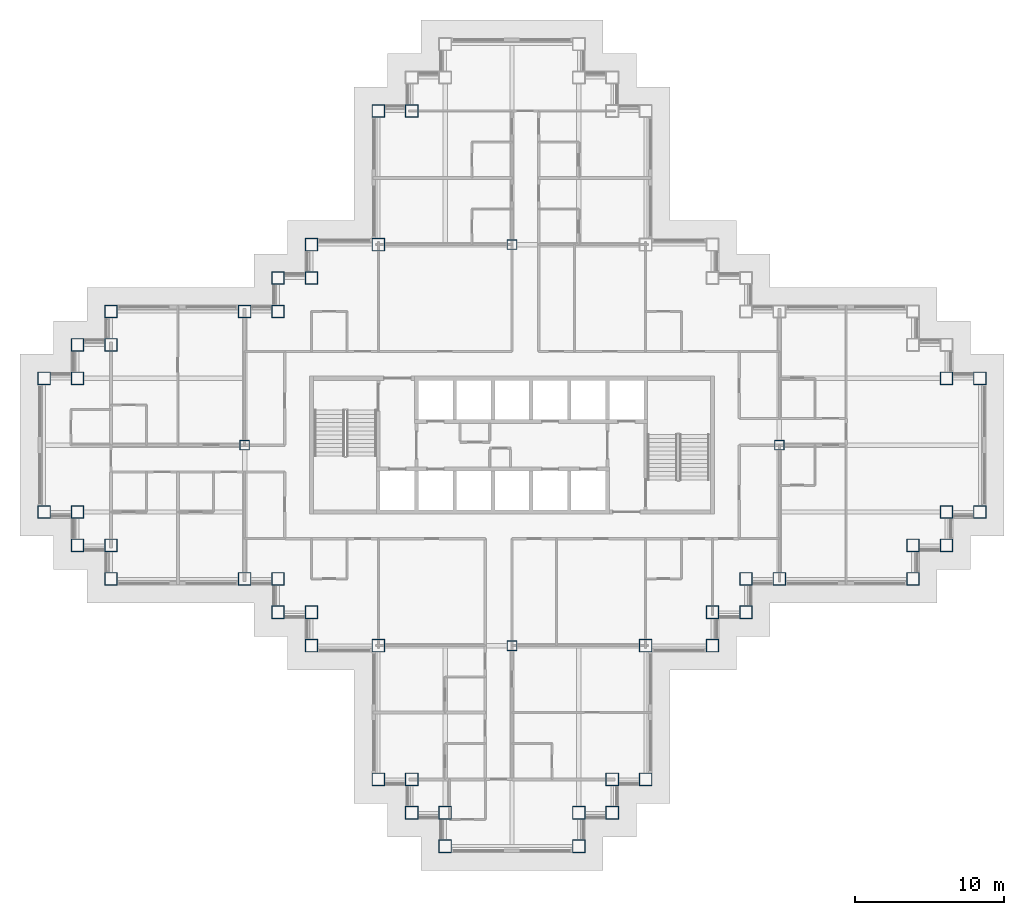
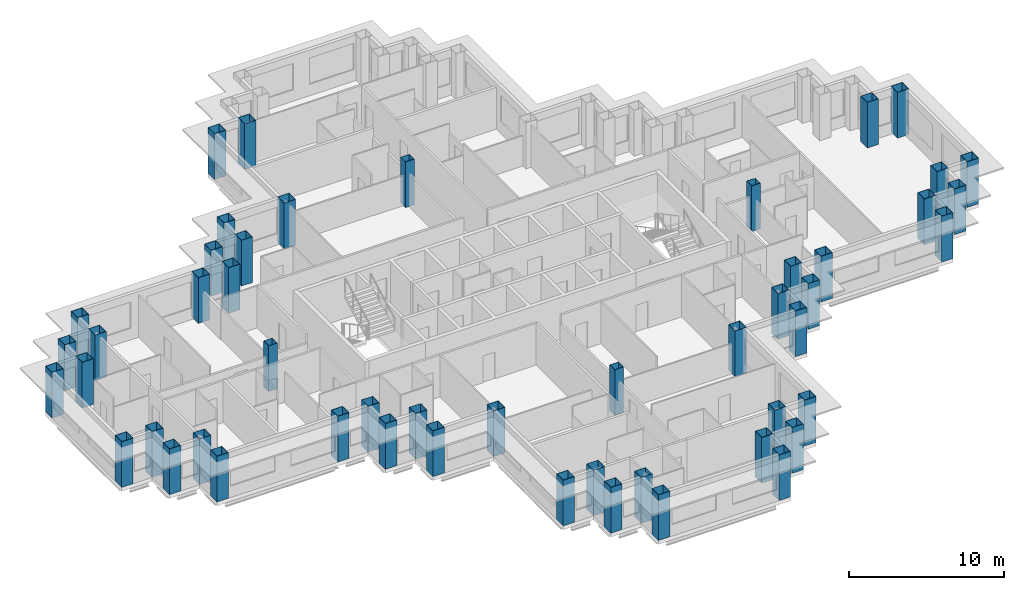
# One storey, part 1 of 16: 51 columns.
"""IFC4 building model written with IfcOpenShell, lengths in metres."""

from ifc_helpers import new_model, si_unit, direction, frame, origin, origin_2d, place, context, subcontext, project, spatial, hollow_rectangle, extrude, material, material_profile, profile_set, type_object, element, save


model = new_model("IFC4")

# Units and contexts
model_context = context("Model", 3, precision=1e-05, world=origin(), true_north=direction((0.0, 1.0)))
body_context = subcontext(model_context, "Body", "Model", "MODEL_VIEW")
ifc_project = project(units=[si_unit("LENGTHUNIT", "METRE"), si_unit("AREAUNIT", "SQUARE_METRE"), si_unit("VOLUMEUNIT", "CUBIC_METRE"), si_unit("PLANEANGLEUNIT", "RADIAN"), si_unit("MASSUNIT", "GRAM", prefix="KILO")], contexts=[model_context])

# Site, building, storey
site_placement = place(None, origin())
site = spatial("IfcSite", under=ifc_project, at=site_placement, CompositionType="ELEMENT")
building_placement = place(site_placement, origin())
building = spatial("IfcBuilding", under=site, at=building_placement, Name="Caravel Reach Hotel and Residences", CompositionType="ELEMENT")
storey_placement = place(building_placement, frame((0.0, 0.0, 133.199951171875)))
storey = spatial("IfcBuildingStorey", under=building, at=storey_placement, Name="L33", CompositionType="ELEMENT", Elevation=133.199951171875)

# Columns
ifc_material_1 = material(Name="Concrete-filled steel tube Q390B with Concrete C70 infill", Category="concrete")
ifc_material_profile_1 = material_profile(ifc_material_1, hollow_rectangle(XDim=0.64990234375, YDim=0.64990234375, WallThickness=0.02099609375, at=origin_2d()), Name="RHS 650x650x21")
ifc_profile_set_1 = profile_set([ifc_material_profile_1], Name="Concrete-filled steel tube Q390B with Concrete C70 infill")
column_type_1 = type_object("IfcColumnType", Name="CFT 650x650 Q390B C70", PredefinedType="COLUMN", material=ifc_profile_set_1)
for number, where, z_axis, x_axis, name in (
    (1, (31.5, 40.5, 0.0), (0.0, 0.0, 1.0), (1.0, 0.0, 0.0), "C17 column"),
    (2, (31.5, 13.5, 0.0), (0.0, 0.0, 1.0), (1.0, 0.0, 0.0), "C17 column"),
    (3, (13.5, 27.0, 0.0), (0.0, 0.0, 1.0), (1.0, 0.0, 0.0), "C17 column"),
    (4, (49.5, 27.0, 0.0), (0.0, 0.0, 1.0), (1.0, 0.0, 0.0), "C17 column"),
):
    element("IfcColumn", number, at=place(storey_placement, frame(where, z_axis=z_axis, x_axis=x_axis)), inside=storey, type_object=column_type_1, Name=name, PredefinedType="COLUMN", context=body_context, shape_type="SweptSolid", body=[
        extrude(hollow_rectangle(XDim=0.64990234375, YDim=0.64990234375, WallThickness=0.02099609375, at=origin_2d()), origin(), (0.0, 0.0, 1.0), 3.60009765625),
    ])
ifc_material_2 = material(Name="Concrete-filled steel tube Q390B with Concrete C70 infill", Category="concrete")
ifc_material_profile_2 = material_profile(ifc_material_2, hollow_rectangle(XDim=0.85009765625, YDim=0.85009765625, WallThickness=0.02587890625, at=origin_2d()), Name="RHS 850x850x26")
ifc_profile_set_2 = profile_set([ifc_material_profile_2], Name="Concrete-filled steel tube Q390B with Concrete C70 infill")
column_type_2 = type_object("IfcColumnType", Name="CFT 850x850 Q390B C70", PredefinedType="COLUMN", material=ifc_profile_set_2)
for number, where, z_axis, x_axis, name in (
    (5, (22.5, 4.5, 0.0), (0.0, 0.0, 1.0), (1.0, 0.0, 0.0), "C13 column"),
    (6, (24.75, 4.5, 0.0), (0.0, 0.0, 1.0), (1.0, 0.0, 0.0), "C13 column"),
    (7, (24.75, 2.25, 0.0), (0.0, 0.0, 1.0), (1.0, 0.0, 0.0), "C13 column"),
    (8, (27.0, 2.25, 0.0), (0.0, 0.0, 1.0), (1.0, 0.0, 0.0), "C13 column"),
    (9, (27.0, 0.0, 0.0), (0.0, 0.0, 1.0), (1.0, 0.0, 0.0), "C13 column"),
    (10, (36.0, 0.0, 0.0), (0.0, 0.0, 1.0), (1.0, 0.0, 0.0), "C13 column"),
    (11, (36.0, 2.25, 0.0), (0.0, 0.0, 1.0), (1.0, 0.0, 0.0), "C13 column"),
    (12, (38.25, 2.25, 0.0), (0.0, 0.0, 1.0), (1.0, 0.0, 0.0), "C13 column"),
    (13, (38.25, 4.5, 0.0), (0.0, 0.0, 1.0), (1.0, 0.0, 0.0), "C13 column"),
    (14, (40.5, 4.5, 0.0), (0.0, 0.0, 1.0), (1.0, 0.0, 0.0), "C13 column"),
    (15, (40.5, 13.5, 0.0), (0.0, 0.0, 1.0), (1.0, 0.0, 0.0), "C13 column"),
    (16, (45.0, 13.5, 0.0), (0.0, 0.0, 1.0), (1.0, 0.0, 0.0), "C13 column"),
    (17, (45.0, 15.75, 0.0), (0.0, 0.0, 1.0), (1.0, 0.0, 0.0), "C13 column"),
    (18, (47.25, 15.75, 0.0), (0.0, 0.0, 1.0), (1.0, 0.0, 0.0), "C13 column"),
    (19, (47.25, 18.0, 0.0), (0.0, 0.0, 1.0), (1.0, 0.0, 0.0), "C13 column"),
    (20, (49.5, 18.0, 0.0), (0.0, 0.0, 1.0), (1.0, 0.0, 0.0), "C13 column"),
    (21, (58.5, 18.0, 0.0), (0.0, 0.0, 1.0), (1.0, 0.0, 0.0), "C13 column"),
    (22, (58.5, 20.25, 0.0), (0.0, 0.0, 1.0), (1.0, 0.0, 0.0), "C13 column"),
    (23, (60.75, 20.25, 0.0), (0.0, 0.0, 1.0), (1.0, 0.0, 0.0), "C13 column"),
    (24, (60.75, 22.5, 0.0), (0.0, 0.0, 1.0), (1.0, 0.0, 0.0), "C13 column"),
    (25, (63.0, 22.5, 0.0), (0.0, 0.0, 1.0), (1.0, 0.0, 0.0), "C13 column"),
    (26, (63.0, 31.5, 0.0), (0.0, 0.0, 1.0), (1.0, 0.0, 0.0), "C13 column"),
    (27, (60.75, 31.5, 0.0), (0.0, 0.0, 1.0), (1.0, 0.0, 0.0), "C13 column"),
    (28, (24.75, 49.5, 0.0), (0.0, 0.0, 1.0), (1.0, 0.0, 0.0), "C13 column"),
    (29, (22.5, 49.5, 0.0), (0.0, 0.0, 1.0), (1.0, 0.0, 0.0), "C13 column"),
    (30, (22.5, 40.5, 0.0), (0.0, 0.0, 1.0), (1.0, 0.0, 0.0), "C13 column"),
    (31, (18.0, 40.5, 0.0), (0.0, 0.0, 1.0), (1.0, 0.0, 0.0), "C13 column"),
    (32, (18.0, 38.25, 0.0), (0.0, 0.0, 1.0), (1.0, 0.0, 0.0), "C13 column"),
    (33, (15.75, 38.25, 0.0), (0.0, 0.0, 1.0), (1.0, 0.0, 0.0), "C13 column"),
    (34, (15.75, 36.0, 0.0), (0.0, 0.0, 1.0), (1.0, 0.0, 0.0), "C13 column"),
    (35, (13.5, 36.0, 0.0), (0.0, 0.0, 1.0), (1.0, 0.0, 0.0), "C13 column"),
    (36, (4.5, 36.0, 0.0), (0.0, 0.0, 1.0), (1.0, 0.0, 0.0), "C13 column"),
    (37, (4.5, 33.75, 0.0), (0.0, 0.0, 1.0), (1.0, 0.0, 0.0), "C13 column"),
    (38, (2.25, 33.75, 0.0), (0.0, 0.0, 1.0), (1.0, 0.0, 0.0), "C13 column"),
    (39, (2.25, 31.5, 0.0), (0.0, 0.0, 1.0), (1.0, 0.0, 0.0), "C13 column"),
    (40, (0.0, 31.5, 0.0), (0.0, 0.0, 1.0), (1.0, 0.0, 0.0), "C13 column"),
    (41, (0.0, 22.5, 0.0), (0.0, 0.0, 1.0), (1.0, 0.0, 0.0), "C13 column"),
    (42, (2.25, 22.5, 0.0), (0.0, 0.0, 1.0), (1.0, 0.0, 0.0), "C13 column"),
    (43, (2.25, 20.25, 0.0), (0.0, 0.0, 1.0), (1.0, 0.0, 0.0), "C13 column"),
    (44, (4.5, 20.25, 0.0), (0.0, 0.0, 1.0), (1.0, 0.0, 0.0), "C13 column"),
    (45, (4.5, 18.0, 0.0), (0.0, 0.0, 1.0), (1.0, 0.0, 0.0), "C13 column"),
    (46, (13.5, 18.0, 0.0), (0.0, 0.0, 1.0), (1.0, 0.0, 0.0), "C13 column"),
    (47, (15.75, 18.0, 0.0), (0.0, 0.0, 1.0), (1.0, 0.0, 0.0), "C13 column"),
    (48, (15.75, 15.75, 0.0), (0.0, 0.0, 1.0), (1.0, 0.0, 0.0), "C13 column"),
    (49, (18.0, 15.75, 0.0), (0.0, 0.0, 1.0), (1.0, 0.0, 0.0), "C13 column"),
    (50, (18.0, 13.5, 0.0), (0.0, 0.0, 1.0), (1.0, 0.0, 0.0), "C13 column"),
    (51, (22.5, 13.5, 0.0), (0.0, 0.0, 1.0), (1.0, 0.0, 0.0), "C13 column"),
):
    element("IfcColumn", number, at=place(storey_placement, frame(where, z_axis=z_axis, x_axis=x_axis)), inside=storey, type_object=column_type_2, Name=name, PredefinedType="COLUMN", context=body_context, shape_type="SweptSolid", body=[
        extrude(hollow_rectangle(XDim=0.85009765625, YDim=0.85009765625, WallThickness=0.02587890625, at=origin_2d()), origin(), (0.0, 0.0, 1.0), 3.60009765625),
    ])

save(model, "model.ifc")
